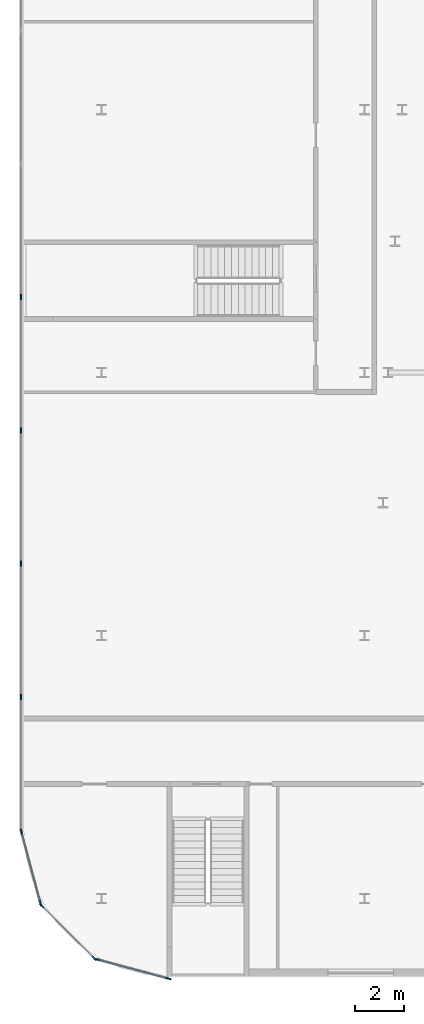
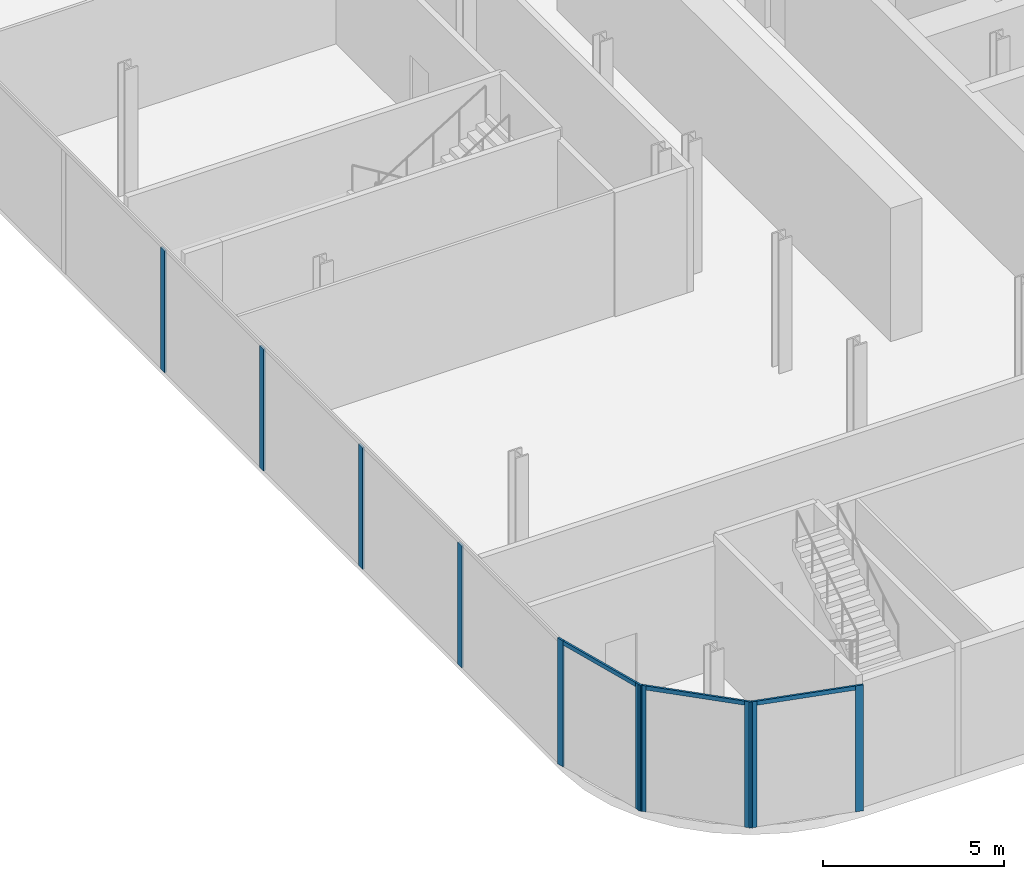
# One storey, part 6 of 47: 13 members, 4 elements without a shape of their own.
"""IFC4 building model written with IfcOpenShell, lengths in metres."""

from ifc_helpers import new_model, si_unit, direction, frame, origin, origin_2d, place, context, subcontext, project, spatial, rectangle, extrude, material, layer, layer_set, material_profile, profile_set, type_object, element, aggregate, save


model = new_model("IFC4")

# Units and contexts
model_context = context("Model", 3, precision=1e-05, world=origin(), true_north=direction((0.0, 1.0)))
body_context = subcontext(model_context, "Body", "Model", "MODEL_VIEW")
ifc_project = project(units=[si_unit("LENGTHUNIT", "METRE"), si_unit("AREAUNIT", "SQUARE_METRE"), si_unit("VOLUMEUNIT", "CUBIC_METRE"), si_unit("PLANEANGLEUNIT", "RADIAN"), si_unit("MASSUNIT", "GRAM", prefix="KILO")], contexts=[model_context])

# Site, building, storey
site_placement = place(None, origin())
site = spatial("IfcSite", under=ifc_project, at=site_placement, CompositionType="ELEMENT")
building_placement = place(site_placement, origin())
building = spatial("IfcBuilding", under=site, at=building_placement, Name="Kheshtan School and Residences Tower", CompositionType="ELEMENT")
storey_placement = place(building_placement, frame((0.0, 0.0, 17.0)))
storey = spatial("IfcBuildingStorey", under=building, at=storey_placement, Name="L03", CompositionType="ELEMENT", Elevation=17.0)

# Curtain wall, members
ifc_material_1 = material(Name="Clear low-e glass in thermally broken aluminium frame", Category="aluminium")
ifc_layer = layer(ifc_material_1, 0.22509765625)
ifc_layer_set = layer_set([ifc_layer], Name="Curtain wall CW-P")
curtain_wall_type = type_object("IfcCurtainWallType", Name="Curtain wall CW-P", PredefinedType="NOTDEFINED", material=ifc_layer_set)
curtain_wall_1_placement = place(storey_placement, origin())
curtain_wall_1 = element("IfcCurtainWall", 1, at=curtain_wall_1_placement, inside=storey, type_object=curtain_wall_type, Name="Curtain wall CWP13a", PredefinedType="NOTDEFINED")
ifc_material_2 = material(Name="Thermally broken aluminium, dark bronze anodised", Category="aluminium")
ifc_material_profile_1 = material_profile(ifc_material_2, rectangle(XDim=0.06005859375, YDim=0.22509765625, at=origin_2d()), Name="CW-P mullion 60x225")
ifc_profile_set_1 = profile_set([ifc_material_profile_1], Name="Thermally broken aluminium, dark bronze anodised")
member_type_1 = type_object("IfcMemberType", Name="CW-P mullion 60x225", PredefinedType="MULLION", material=ifc_profile_set_1)
member_1_placement = place(storey_placement, frame((17.945068359375, 9.9111328125, 0.0), z_axis=(0.0, 0.0, 1.0), x_axis=(-0.258864833085, -0.965913556273, 0.0)))
member_1 = element("IfcMember", 2, at=member_1_placement, type_object=member_type_1, Name="CWP13a mullion 1", PredefinedType="MULLION", context=body_context, shape_type="SweptSolid", body=[
    extrude(rectangle(XDim=0.06005859375, YDim=0.22509765625, at=origin_2d()), origin(), (0.0, 0.0, 1.0), 4.25),
])
member_2_placement = place(storey_placement, frame((15.003173828125, 10.69970703125, 0.0), z_axis=(0.0, 0.0, 1.0), x_axis=(-0.258864833085, -0.965913556273, 0.0)))
member_2 = element("IfcMember", 3, at=member_2_placement, type_object=member_type_1, Name="CWP13a mullion 2", PredefinedType="MULLION", context=body_context, shape_type="SweptSolid", body=[
    extrude(rectangle(XDim=0.06005859375, YDim=0.22509765625, at=origin_2d()), origin(), (0.0, 0.0, 1.0), 4.25),
])

curtain_wall_2_placement = place(storey_placement, origin())
curtain_wall_2 = element("IfcCurtainWall", 4, at=curtain_wall_2_placement, inside=storey, type_object=curtain_wall_type, Name="Curtain wall CWP14a", PredefinedType="NOTDEFINED")
member_3_placement = place(storey_placement, frame((14.907958984375, 10.75439453125, 0.0), z_axis=(0.0, 0.0, 1.0), x_axis=(-0.707106781187, -0.707106781187, 0.0)))
member_3 = element("IfcMember", 5, at=member_3_placement, type_object=member_type_1, Name="CWP14a mullion 1", PredefinedType="MULLION", context=body_context, shape_type="SweptSolid", body=[
    extrude(rectangle(XDim=0.06005859375, YDim=0.22509765625, at=origin_2d()), origin(), (0.0, 0.0, 1.0), 4.25),
])
member_4_placement = place(storey_placement, frame((12.75439453125, 12.907958984375, 0.0), z_axis=(0.0, 0.0, 1.0), x_axis=(-0.707106781187, -0.707106781187, 0.0)))
member_4 = element("IfcMember", 6, at=member_4_placement, type_object=member_type_1, Name="CWP14a mullion 2", PredefinedType="MULLION", context=body_context, shape_type="SweptSolid", body=[
    extrude(rectangle(XDim=0.06005859375, YDim=0.22509765625, at=origin_2d()), origin(), (0.0, 0.0, 1.0), 4.25),
])

curtain_wall_3_placement = place(storey_placement, origin())
curtain_wall_3 = element("IfcCurtainWall", 7, at=curtain_wall_3_placement, inside=storey, type_object=curtain_wall_type, Name="Curtain wall CWP15a", PredefinedType="NOTDEFINED")
member_5_placement = place(storey_placement, frame((12.69970703125, 13.003173828125, 0.0), z_axis=(0.0, 0.0, 1.0), x_axis=(-0.965913556273, -0.258864833085, 0.0)))
member_5 = element("IfcMember", 8, at=member_5_placement, type_object=member_type_1, Name="CWP15a mullion 1", PredefinedType="MULLION", context=body_context, shape_type="SweptSolid", body=[
    extrude(rectangle(XDim=0.06005859375, YDim=0.22509765625, at=origin_2d()), origin(), (0.0, 0.0, 1.0), 4.25),
])
member_6_placement = place(storey_placement, frame((11.9111328125, 15.945068359375, 0.0), z_axis=(0.0, 0.0, 1.0), x_axis=(-0.965913556273, -0.258864833085, 0.0)))
member_6 = element("IfcMember", 9, at=member_6_placement, type_object=member_type_1, Name="CWP15a mullion 2", PredefinedType="MULLION", context=body_context, shape_type="SweptSolid", body=[
    extrude(rectangle(XDim=0.06005859375, YDim=0.22509765625, at=origin_2d()), origin(), (0.0, 0.0, 1.0), 4.25),
])

curtain_wall_4_placement = place(storey_placement, origin())
curtain_wall_4 = element("IfcCurtainWall", 10, at=curtain_wall_4_placement, inside=storey, type_object=curtain_wall_type, Name="Curtain wall CWP16a", PredefinedType="NOTDEFINED")
member_7_placement = place(storey_placement, frame((11.89990234375, 21.4755859375, 0.0), z_axis=(0.0, 0.0, 1.0), x_axis=(-1.0, 0.0, 0.0)))
member_7 = element("IfcMember", 11, at=member_7_placement, type_object=member_type_1, Name="CWP16a mullion 2", PredefinedType="MULLION", context=body_context, shape_type="SweptSolid", body=[
    extrude(rectangle(XDim=0.06005859375, YDim=0.22509765625, at=origin_2d()), origin(), (0.0, 0.0, 1.0), 4.110107421875),
])
member_8_placement = place(storey_placement, frame((11.89990234375, 26.951171875, 0.0), z_axis=(0.0, 0.0, 1.0), x_axis=(-1.0, 0.0, 0.0)))
member_8 = element("IfcMember", 12, at=member_8_placement, type_object=member_type_1, Name="CWP16a mullion 3", PredefinedType="MULLION", context=body_context, shape_type="SweptSolid", body=[
    extrude(rectangle(XDim=0.06005859375, YDim=0.22509765625, at=origin_2d()), origin(), (0.0, 0.0, 1.0), 4.110107421875),
])
member_9_placement = place(storey_placement, frame((11.89990234375, 32.4267578125, 0.0), z_axis=(0.0, 0.0, 1.0), x_axis=(-1.0, 0.0, 0.0)))
member_9 = element("IfcMember", 13, at=member_9_placement, type_object=member_type_1, Name="CWP16a mullion 4", PredefinedType="MULLION", context=body_context, shape_type="SweptSolid", body=[
    extrude(rectangle(XDim=0.06005859375, YDim=0.22509765625, at=origin_2d()), origin(), (0.0, 0.0, 1.0), 4.110107421875),
])
member_10_placement = place(storey_placement, frame((11.89990234375, 37.90234375, 0.0), z_axis=(0.0, 0.0, 1.0), x_axis=(-1.0, 0.0, 0.0)))
member_10 = element("IfcMember", 14, at=member_10_placement, type_object=member_type_1, Name="CWP16a mullion 5", PredefinedType="MULLION", context=body_context, shape_type="SweptSolid", body=[
    extrude(rectangle(XDim=0.06005859375, YDim=0.22509765625, at=origin_2d()), origin(), (0.0, 0.0, 1.0), 4.110107421875),
])
aggregate(curtain_wall_4, [member_7, member_8, member_9, member_10])

# Member
ifc_material_profile_2 = material_profile(ifc_material_2, rectangle(XDim=0.06005859375, YDim=0.139892578125, at=origin_2d()), Name="CW-P transom 60x140")
ifc_profile_set_2 = profile_set([ifc_material_profile_2], Name="Thermally broken aluminium, dark bronze anodised")
member_type_2 = type_object("IfcMemberType", Name="CW-P transom 60x140", PredefinedType="USERDEFINED", material=ifc_profile_set_2)
member_11_placement = place(storey_placement, frame((17.916259765625, 9.9189453125, 4.179931640625), z_axis=(-0.965916663607, 0.258853238275, 0.0), x_axis=(-0.258853238275, -0.965916663607, 0.0)))
member_11 = element("IfcMember", 15, at=member_11_placement, type_object=member_type_2, Name="CWP13a transom 1", ObjectType="TRANSOM", PredefinedType="USERDEFINED", context=body_context, shape_type="SweptSolid", body=[
    extrude(rectangle(XDim=0.06005859375, YDim=0.139892578125, at=origin_2d()), origin(), (0.0, 0.0, 1.0), 2.986083984375),
])

aggregate(curtain_wall_1, [member_1, member_2, member_11])

member_12_placement = place(storey_placement, frame((14.886962890625, 10.775634765625, 4.179931640625), z_axis=(-0.707106781187, 0.707106781187, 0.0), x_axis=(-0.707106781187, -0.707106781187, 0.0)))
member_12 = element("IfcMember", 16, at=member_12_placement, type_object=member_type_2, Name="CWP14a transom 1", ObjectType="TRANSOM", PredefinedType="USERDEFINED", context=body_context, shape_type="SweptSolid", body=[
    extrude(rectangle(XDim=0.06005859375, YDim=0.139892578125, at=origin_2d()), origin(), (0.0, 0.0, 1.0), 2.98583984375),
])

aggregate(curtain_wall_2, [member_3, member_4, member_12])

member_13_placement = place(storey_placement, frame((12.69189453125, 13.031982421875, 4.179931640625), z_axis=(-0.258853238275, 0.965916663607, 0.0), x_axis=(-0.965916663607, -0.258853238275, 0.0)))
member_13 = element("IfcMember", 17, at=member_13_placement, type_object=member_type_2, Name="CWP15a transom 1", ObjectType="TRANSOM", PredefinedType="USERDEFINED", context=body_context, shape_type="SweptSolid", body=[
    extrude(rectangle(XDim=0.06005859375, YDim=0.139892578125, at=origin_2d()), origin(), (0.0, 0.0, 1.0), 2.986083984375),
])

aggregate(curtain_wall_3, [member_5, member_6, member_13])

save(model, "model.ifc")
